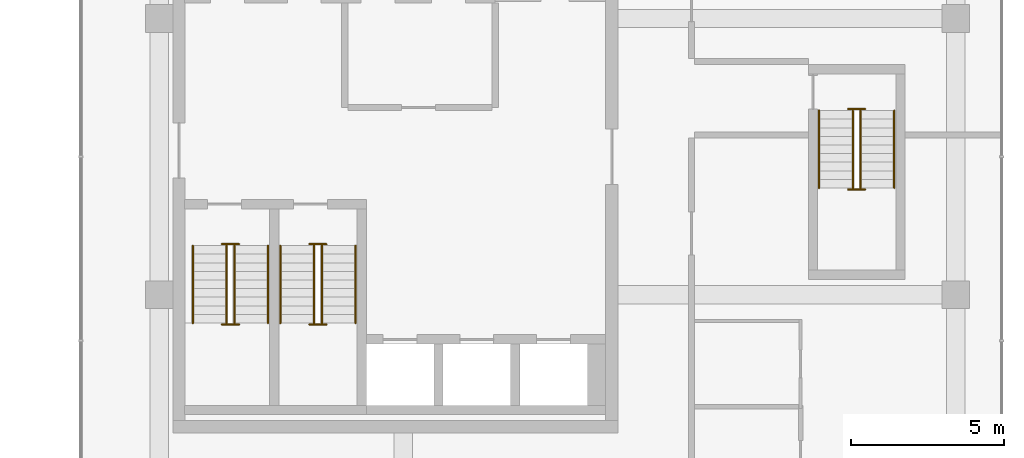
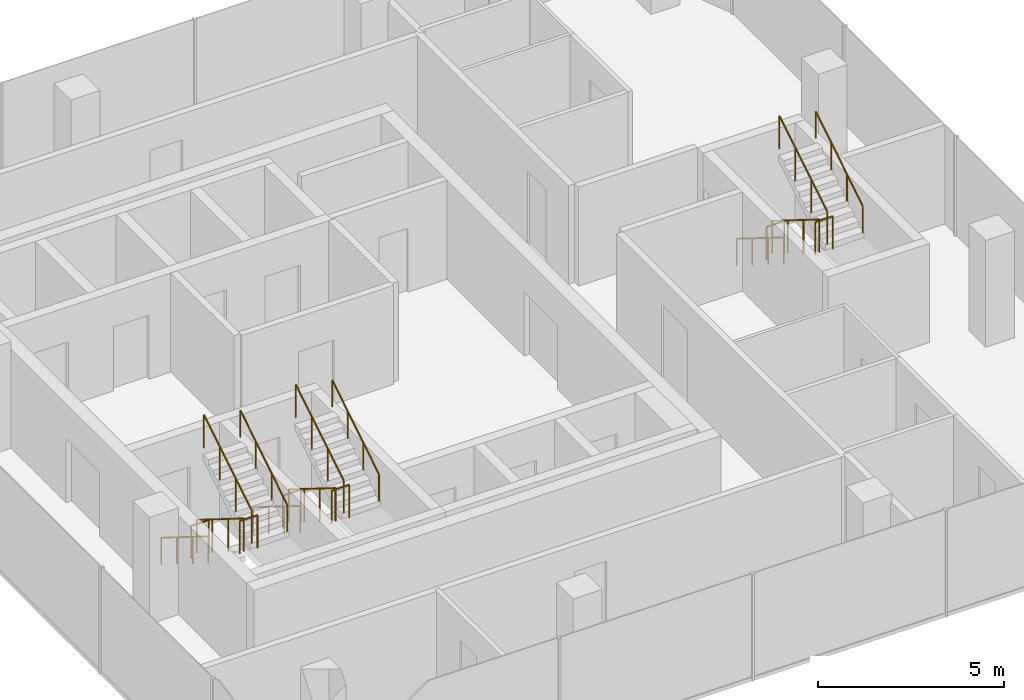
# One storey, part 22 of 22: 18 railings.
"""IFC4 building model written with IfcOpenShell, lengths in metres."""

from ifc_helpers import new_model, si_unit, direction, frame, origin, origin_2d, place, context, subcontext, project, spatial, circle, extrude, material, type_object, element, save


model = new_model("IFC4")

# Units and contexts
model_context = context("Model", 3, precision=1e-05, world=origin(), true_north=direction((0.0, 1.0)))
body_context = subcontext(model_context, "Body", "Model", "MODEL_VIEW")
ifc_project = project(units=[si_unit("LENGTHUNIT", "METRE"), si_unit("AREAUNIT", "SQUARE_METRE"), si_unit("VOLUMEUNIT", "CUBIC_METRE"), si_unit("PLANEANGLEUNIT", "RADIAN"), si_unit("MASSUNIT", "GRAM", prefix="KILO")], contexts=[model_context])

# Site, building, storey
site_placement = place(None, origin())
site = spatial("IfcSite", under=ifc_project, at=site_placement, CompositionType="ELEMENT")
building_placement = place(site_placement, origin())
building = spatial("IfcBuilding", under=site, at=building_placement, Name="Plateau Cross Towers", CompositionType="ELEMENT")
storey_placement = place(building_placement, frame((0.0, 0.0, 99.300048828125)))
storey = spatial("IfcBuildingStorey", under=building, at=storey_placement, Name="L25", CompositionType="ELEMENT", Elevation=99.300048828125)

# Railings
ifc_material_1 = material(Name="Stainless steel and toughened glass", Category="steel")
railing_type_1 = type_object("IfcRailingType", Name="RL-GUARD-1100", PredefinedType="GUARDRAIL", material=ifc_material_1)
railing_1_placement = place(storey_placement, frame((76.75, 6.10009765625, 0.175048828125)))
element("IfcRailing", 1, at=railing_1_placement, inside=storey, type_object=railing_type_1, Name="L25 SB-1 stair guard 1", PredefinedType="GUARDRAIL", context=body_context, shape_type="SweptSolid", body=[
    extrude(circle(Radius=0.02392578125, at=origin_2d()), frame((0.0, 0.0, 1.076171875), z_axis=(0.0, -0.848007534815, 0.529984170421), x_axis=(1.0, 0.0, 0.0)), (0.0, 0.0, 1.0), 2.9716796875),
    extrude(circle(Radius=0.02099609375, at=origin_2d()), origin(), (0.0, 0.0, 1.0), 1.052001953125),
    extrude(circle(Radius=0.02099609375, at=origin_2d()), frame((0.0, -0.840087890625, 0.52490234375)), (0.0, 0.0, 1.0), 1.052001953125),
    extrude(circle(Radius=0.02099609375, at=origin_2d()), frame((0.0, -1.679931640625, 1.050048828125)), (0.0, 0.0, 1.0), 1.052001953125),
    extrude(circle(Radius=0.02099609375, at=origin_2d()), frame((0.0, -2.52001953125, 1.574951171875)), (0.0, 0.0, 1.0), 1.052001953125),
])
railing_2_placement = place(storey_placement, frame((76.60009765625, 3.530029296875, 1.75)))
element("IfcRailing", 2, at=railing_2_placement, inside=storey, type_object=railing_type_1, Name="L25 SB-1 stair guard 2", PredefinedType="GUARDRAIL", context=body_context, shape_type="SweptSolid", body=[
    extrude(circle(Radius=0.02392578125, at=origin_2d()), frame((0.0, 0.0, 1.076171875), z_axis=(1.0, 0.0, 0.0), x_axis=(0.0, 1.0, 0.0)), (0.0, 0.0, 1.0), 0.5498046875),
    extrude(circle(Radius=0.02099609375, at=origin_2d()), origin(), (0.0, 0.0, 1.0), 1.052001953125),
    extrude(circle(Radius=0.02099609375, at=origin_2d()), frame((0.5498046875, 0.0, 0.0)), (0.0, 0.0, 1.0), 1.052001953125),
])
railing_3_placement = place(storey_placement, frame((77.0, 3.580078125, 1.925048828125)))
element("IfcRailing", 3, at=railing_3_placement, inside=storey, type_object=railing_type_1, Name="L25 SB-1 stair guard 3", PredefinedType="GUARDRAIL", context=body_context, shape_type="SweptSolid", body=[
    extrude(circle(Radius=0.02392578125, at=origin_2d()), frame((0.0, 0.0, 1.076171875), z_axis=(0.0, 0.852616386126, 0.522537365276), x_axis=(-1.0, 0.0, 0.0)), (0.0, 0.0, 1.0), 3.01416015625),
    extrude(circle(Radius=0.02099609375, at=origin_2d()), origin(), (0.0, 0.0, 1.0), 1.052001953125),
    extrude(circle(Radius=0.02099609375, at=origin_2d()), frame((0.0, 0.856689453125, 0.52490234375)), (0.0, 0.0, 1.0), 1.052001953125),
    extrude(circle(Radius=0.02099609375, at=origin_2d()), frame((0.0, 1.713134765625, 1.050048828125)), (0.0, 0.0, 1.0), 1.052001953125),
    extrude(circle(Radius=0.02099609375, at=origin_2d()), frame((0.0, 2.56982421875, 1.574951171875)), (0.0, 0.0, 1.0), 1.052001953125),
])
railing_4_placement = place(storey_placement, frame((76.60009765625, 6.14990234375, 0.0)))
element("IfcRailing", 4, at=railing_4_placement, inside=storey, type_object=railing_type_1, Name="L25 SB-1 stair guard 4", PredefinedType="GUARDRAIL", context=body_context, shape_type="SweptSolid", body=[
    extrude(circle(Radius=0.02392578125, at=origin_2d()), frame((0.0, 0.0, 1.076171875), z_axis=(1.0, 0.0, 0.0), x_axis=(0.0, 1.0, 0.0)), (0.0, 0.0, 1.0), 0.5498046875),
    extrude(circle(Radius=0.02099609375, at=origin_2d()), origin(), (0.0, 0.0, 1.0), 1.052001953125),
    extrude(circle(Radius=0.02099609375, at=origin_2d()), frame((0.5498046875, 0.0, 0.0)), (0.0, 0.0, 1.0), 1.052001953125),
])
railing_5_placement = place(storey_placement, frame((79.60009765625, 6.10009765625, 0.175048828125)))
element("IfcRailing", 5, at=railing_5_placement, inside=storey, type_object=railing_type_1, Name="L25 SB-2 stair guard 1", PredefinedType="GUARDRAIL", context=body_context, shape_type="SweptSolid", body=[
    extrude(circle(Radius=0.02392578125, at=origin_2d()), frame((0.0, 0.0, 1.076171875), z_axis=(0.0, -0.848007534815, 0.529984170421), x_axis=(1.0, 0.0, 0.0)), (0.0, 0.0, 1.0), 2.9716796875),
    extrude(circle(Radius=0.02099609375, at=origin_2d()), origin(), (0.0, 0.0, 1.0), 1.052001953125),
    extrude(circle(Radius=0.02099609375, at=origin_2d()), frame((0.0, -0.840087890625, 0.52490234375)), (0.0, 0.0, 1.0), 1.052001953125),
    extrude(circle(Radius=0.02099609375, at=origin_2d()), frame((0.0, -1.679931640625, 1.050048828125)), (0.0, 0.0, 1.0), 1.052001953125),
    extrude(circle(Radius=0.02099609375, at=origin_2d()), frame((0.0, -2.52001953125, 1.574951171875)), (0.0, 0.0, 1.0), 1.052001953125),
])
railing_6_placement = place(storey_placement, frame((79.449951171875, 3.530029296875, 1.75)))
element("IfcRailing", 6, at=railing_6_placement, inside=storey, type_object=railing_type_1, Name="L25 SB-2 stair guard 2", PredefinedType="GUARDRAIL", context=body_context, shape_type="SweptSolid", body=[
    extrude(circle(Radius=0.02392578125, at=origin_2d()), frame((0.0, 0.0, 1.076171875), z_axis=(1.0, 0.0, 0.0), x_axis=(0.0, 1.0, 0.0)), (0.0, 0.0, 1.0), 0.550048828125),
    extrude(circle(Radius=0.02099609375, at=origin_2d()), origin(), (0.0, 0.0, 1.0), 1.052001953125),
    extrude(circle(Radius=0.02099609375, at=origin_2d()), frame((0.550048828125, 0.0, 0.0)), (0.0, 0.0, 1.0), 1.052001953125),
])
railing_7_placement = place(storey_placement, frame((79.85009765625, 3.580078125, 1.925048828125)))
element("IfcRailing", 7, at=railing_7_placement, inside=storey, type_object=railing_type_1, Name="L25 SB-2 stair guard 3", PredefinedType="GUARDRAIL", context=body_context, shape_type="SweptSolid", body=[
    extrude(circle(Radius=0.02392578125, at=origin_2d()), frame((0.0, 0.0, 1.076171875), z_axis=(0.0, 0.852616386126, 0.522537365276), x_axis=(-1.0, 0.0, 0.0)), (0.0, 0.0, 1.0), 3.01416015625),
    extrude(circle(Radius=0.02099609375, at=origin_2d()), origin(), (0.0, 0.0, 1.0), 1.052001953125),
    extrude(circle(Radius=0.02099609375, at=origin_2d()), frame((0.0, 0.856689453125, 0.52490234375)), (0.0, 0.0, 1.0), 1.052001953125),
    extrude(circle(Radius=0.02099609375, at=origin_2d()), frame((0.0, 1.713134765625, 1.050048828125)), (0.0, 0.0, 1.0), 1.052001953125),
    extrude(circle(Radius=0.02099609375, at=origin_2d()), frame((0.0, 2.56982421875, 1.574951171875)), (0.0, 0.0, 1.0), 1.052001953125),
])
railing_8_placement = place(storey_placement, frame((79.449951171875, 6.14990234375, 0.0)))
element("IfcRailing", 8, at=railing_8_placement, inside=storey, type_object=railing_type_1, Name="L25 SB-2 stair guard 4", PredefinedType="GUARDRAIL", context=body_context, shape_type="SweptSolid", body=[
    extrude(circle(Radius=0.02392578125, at=origin_2d()), frame((0.0, 0.0, 1.076171875), z_axis=(1.0, 0.0, 0.0), x_axis=(0.0, 1.0, 0.0)), (0.0, 0.0, 1.0), 0.550048828125),
    extrude(circle(Radius=0.02099609375, at=origin_2d()), origin(), (0.0, 0.0, 1.0), 1.052001953125),
    extrude(circle(Radius=0.02099609375, at=origin_2d()), frame((0.550048828125, 0.0, 0.0)), (0.0, 0.0, 1.0), 1.052001953125),
])
railing_9_placement = place(storey_placement, frame((97.14990234375, 10.5, 0.175048828125)))
element("IfcRailing", 9, at=railing_9_placement, inside=storey, type_object=railing_type_1, Name="L25 SB-3 stair guard 1", PredefinedType="GUARDRAIL", context=body_context, shape_type="SweptSolid", body=[
    extrude(circle(Radius=0.02392578125, at=origin_2d()), frame((0.0, 0.0, 1.076171875), z_axis=(0.0, -0.848007534815, 0.529984170421), x_axis=(1.0, 0.0, 0.0)), (0.0, 0.0, 1.0), 2.9716796875),
    extrude(circle(Radius=0.02099609375, at=origin_2d()), origin(), (0.0, 0.0, 1.0), 1.052001953125),
    extrude(circle(Radius=0.02099609375, at=origin_2d()), frame((0.0, -0.840087890625, 0.52490234375)), (0.0, 0.0, 1.0), 1.052001953125),
    extrude(circle(Radius=0.02099609375, at=origin_2d()), frame((0.0, -1.679931640625, 1.050048828125)), (0.0, 0.0, 1.0), 1.052001953125),
    extrude(circle(Radius=0.02099609375, at=origin_2d()), frame((0.0, -2.52001953125, 1.574951171875)), (0.0, 0.0, 1.0), 1.052001953125),
])
railing_10_placement = place(storey_placement, frame((97.0, 7.929931640625, 1.75)))
element("IfcRailing", 10, at=railing_10_placement, inside=storey, type_object=railing_type_1, Name="L25 SB-3 stair guard 2", PredefinedType="GUARDRAIL", context=body_context, shape_type="SweptSolid", body=[
    extrude(circle(Radius=0.02392578125, at=origin_2d()), frame((0.0, 0.0, 1.076171875), z_axis=(1.0, 0.0, 0.0), x_axis=(0.0, 1.0, 0.0)), (0.0, 0.0, 1.0), 0.550048828125),
    extrude(circle(Radius=0.02099609375, at=origin_2d()), origin(), (0.0, 0.0, 1.0), 1.052001953125),
    extrude(circle(Radius=0.02099609375, at=origin_2d()), frame((0.550048828125, 0.0, 0.0)), (0.0, 0.0, 1.0), 1.052001953125),
])
railing_11_placement = place(storey_placement, frame((97.39990234375, 7.97998046875, 1.925048828125)))
element("IfcRailing", 11, at=railing_11_placement, inside=storey, type_object=railing_type_1, Name="L25 SB-3 stair guard 3", PredefinedType="GUARDRAIL", context=body_context, shape_type="SweptSolid", body=[
    extrude(circle(Radius=0.02392578125, at=origin_2d()), frame((0.0, 0.0, 1.076171875), z_axis=(0.0, 0.852638500773, 0.522501279423), x_axis=(-1.0, 0.0, 0.0)), (0.0, 0.0, 1.0), 3.01416015625),
    extrude(circle(Radius=0.02099609375, at=origin_2d()), origin(), (0.0, 0.0, 1.0), 1.052001953125),
    extrude(circle(Radius=0.02099609375, at=origin_2d()), frame((0.0, 0.856689453125, 0.52490234375)), (0.0, 0.0, 1.0), 1.052001953125),
    extrude(circle(Radius=0.02099609375, at=origin_2d()), frame((0.0, 1.71337890625, 1.050048828125)), (0.0, 0.0, 1.0), 1.052001953125),
    extrude(circle(Radius=0.02099609375, at=origin_2d()), frame((0.0, 2.570068359375, 1.574951171875)), (0.0, 0.0, 1.0), 1.052001953125),
])
railing_12_placement = place(storey_placement, frame((97.0, 10.550048828125, 0.0)))
element("IfcRailing", 12, at=railing_12_placement, inside=storey, type_object=railing_type_1, Name="L25 SB-3 stair guard 4", PredefinedType="GUARDRAIL", context=body_context, shape_type="SweptSolid", body=[
    extrude(circle(Radius=0.02392578125, at=origin_2d()), frame((0.0, 0.0, 1.076171875), z_axis=(1.0, 0.0, 0.0), x_axis=(0.0, 1.0, 0.0)), (0.0, 0.0, 1.0), 0.550048828125),
    extrude(circle(Radius=0.02099609375, at=origin_2d()), origin(), (0.0, 0.0, 1.0), 1.052001953125),
    extrude(circle(Radius=0.02099609375, at=origin_2d()), frame((0.550048828125, 0.0, 0.0)), (0.0, 0.0, 1.0), 1.052001953125),
])
ifc_material_2 = material(Name="Black anodised aluminium", Category="aluminium")
railing_type_2 = type_object("IfcRailingType", Name="RL-HANDRAIL-900", PredefinedType="HANDRAIL", material=ifc_material_2)
railing_13_placement = place(storey_placement, frame((75.64990234375, 6.10009765625, 0.175048828125)))
element("IfcRailing", 13, at=railing_13_placement, inside=storey, type_object=railing_type_2, Name="L25 SB-1 stair handrail 1", PredefinedType="HANDRAIL", context=body_context, shape_type="SweptSolid", body=[
    extrude(circle(Radius=0.02392578125, at=origin_2d()), frame((0.0, 0.0, 0.8759765625), z_axis=(0.0, -0.848007534815, 0.529984170421), x_axis=(1.0, 0.0, 0.0)), (0.0, 0.0, 1.0), 2.9716796875),
    extrude(circle(Radius=0.02099609375, at=origin_2d()), origin(), (0.0, 0.0, 1.0), 0.851806640625),
    extrude(circle(Radius=0.02099609375, at=origin_2d()), frame((0.0, -0.840087890625, 0.52490234375)), (0.0, 0.0, 1.0), 0.851806640625),
    extrude(circle(Radius=0.02099609375, at=origin_2d()), frame((0.0, -1.679931640625, 1.050048828125)), (0.0, 0.0, 1.0), 0.851806640625),
    extrude(circle(Radius=0.02099609375, at=origin_2d()), frame((0.0, -2.52001953125, 1.574951171875)), (0.0, 0.0, 1.0), 0.851806640625),
])
railing_14_placement = place(storey_placement, frame((78.10009765625, 3.580078125, 1.925048828125)))
element("IfcRailing", 14, at=railing_14_placement, inside=storey, type_object=railing_type_2, Name="L25 SB-1 stair handrail 2", PredefinedType="HANDRAIL", context=body_context, shape_type="SweptSolid", body=[
    extrude(circle(Radius=0.02392578125, at=origin_2d()), frame((0.0, 0.0, 0.8759765625), z_axis=(0.0, 0.848007534815, 0.529984170421), x_axis=(-1.0, 0.0, 0.0)), (0.0, 0.0, 1.0), 2.9716796875),
    extrude(circle(Radius=0.02099609375, at=origin_2d()), origin(), (0.0, 0.0, 1.0), 0.851806640625),
    extrude(circle(Radius=0.02099609375, at=origin_2d()), frame((0.0, 0.840087890625, 0.52490234375)), (0.0, 0.0, 1.0), 0.851806640625),
    extrude(circle(Radius=0.02099609375, at=origin_2d()), frame((0.0, 1.679931640625, 1.050048828125)), (0.0, 0.0, 1.0), 0.851806640625),
    extrude(circle(Radius=0.02099609375, at=origin_2d()), frame((0.0, 2.52001953125, 1.574951171875)), (0.0, 0.0, 1.0), 0.851806640625),
])
railing_15_placement = place(storey_placement, frame((78.5, 6.10009765625, 0.175048828125)))
element("IfcRailing", 15, at=railing_15_placement, inside=storey, type_object=railing_type_2, Name="L25 SB-2 stair handrail 1", PredefinedType="HANDRAIL", context=body_context, shape_type="SweptSolid", body=[
    extrude(circle(Radius=0.02392578125, at=origin_2d()), frame((0.0, 0.0, 0.8759765625), z_axis=(0.0, -0.848007534815, 0.529984170421), x_axis=(1.0, 0.0, 0.0)), (0.0, 0.0, 1.0), 2.9716796875),
    extrude(circle(Radius=0.02099609375, at=origin_2d()), origin(), (0.0, 0.0, 1.0), 0.851806640625),
    extrude(circle(Radius=0.02099609375, at=origin_2d()), frame((0.0, -0.840087890625, 0.52490234375)), (0.0, 0.0, 1.0), 0.851806640625),
    extrude(circle(Radius=0.02099609375, at=origin_2d()), frame((0.0, -1.679931640625, 1.050048828125)), (0.0, 0.0, 1.0), 0.851806640625),
    extrude(circle(Radius=0.02099609375, at=origin_2d()), frame((0.0, -2.52001953125, 1.574951171875)), (0.0, 0.0, 1.0), 0.851806640625),
])
railing_16_placement = place(storey_placement, frame((80.949951171875, 3.580078125, 1.925048828125)))
element("IfcRailing", 16, at=railing_16_placement, inside=storey, type_object=railing_type_2, Name="L25 SB-2 stair handrail 2", PredefinedType="HANDRAIL", context=body_context, shape_type="SweptSolid", body=[
    extrude(circle(Radius=0.02392578125, at=origin_2d()), frame((0.0, 0.0, 0.8759765625), z_axis=(0.0, 0.848007534815, 0.529984170421), x_axis=(-1.0, 0.0, 0.0)), (0.0, 0.0, 1.0), 2.9716796875),
    extrude(circle(Radius=0.02099609375, at=origin_2d()), origin(), (0.0, 0.0, 1.0), 0.851806640625),
    extrude(circle(Radius=0.02099609375, at=origin_2d()), frame((0.0, 0.840087890625, 0.52490234375)), (0.0, 0.0, 1.0), 0.851806640625),
    extrude(circle(Radius=0.02099609375, at=origin_2d()), frame((0.0, 1.679931640625, 1.050048828125)), (0.0, 0.0, 1.0), 0.851806640625),
    extrude(circle(Radius=0.02099609375, at=origin_2d()), frame((0.0, 2.52001953125, 1.574951171875)), (0.0, 0.0, 1.0), 0.851806640625),
])
railing_17_placement = place(storey_placement, frame((96.050048828125, 10.5, 0.175048828125)))
element("IfcRailing", 17, at=railing_17_placement, inside=storey, type_object=railing_type_2, Name="L25 SB-3 stair handrail 1", PredefinedType="HANDRAIL", context=body_context, shape_type="SweptSolid", body=[
    extrude(circle(Radius=0.02392578125, at=origin_2d()), frame((0.0, 0.0, 0.8759765625), z_axis=(0.0, -0.848007534815, 0.529984170421), x_axis=(1.0, 0.0, 0.0)), (0.0, 0.0, 1.0), 2.9716796875),
    extrude(circle(Radius=0.02099609375, at=origin_2d()), origin(), (0.0, 0.0, 1.0), 0.851806640625),
    extrude(circle(Radius=0.02099609375, at=origin_2d()), frame((0.0, -0.840087890625, 0.52490234375)), (0.0, 0.0, 1.0), 0.851806640625),
    extrude(circle(Radius=0.02099609375, at=origin_2d()), frame((0.0, -1.679931640625, 1.050048828125)), (0.0, 0.0, 1.0), 0.851806640625),
    extrude(circle(Radius=0.02099609375, at=origin_2d()), frame((0.0, -2.52001953125, 1.574951171875)), (0.0, 0.0, 1.0), 0.851806640625),
])
railing_18_placement = place(storey_placement, frame((98.5, 7.97998046875, 1.925048828125)))
element("IfcRailing", 18, at=railing_18_placement, inside=storey, type_object=railing_type_2, Name="L25 SB-3 stair handrail 2", PredefinedType="HANDRAIL", context=body_context, shape_type="SweptSolid", body=[
    extrude(circle(Radius=0.02392578125, at=origin_2d()), frame((0.0, 0.0, 0.8759765625), z_axis=(0.0, 0.848007534815, 0.529984170421), x_axis=(-1.0, 0.0, 0.0)), (0.0, 0.0, 1.0), 2.9716796875),
    extrude(circle(Radius=0.02099609375, at=origin_2d()), origin(), (0.0, 0.0, 1.0), 0.851806640625),
    extrude(circle(Radius=0.02099609375, at=origin_2d()), frame((0.0, 0.840087890625, 0.52490234375)), (0.0, 0.0, 1.0), 0.851806640625),
    extrude(circle(Radius=0.02099609375, at=origin_2d()), frame((0.0, 1.679931640625, 1.050048828125)), (0.0, 0.0, 1.0), 0.851806640625),
    extrude(circle(Radius=0.02099609375, at=origin_2d()), frame((0.0, 2.52001953125, 1.574951171875)), (0.0, 0.0, 1.0), 0.851806640625),
])

save(model, "model.ifc")
